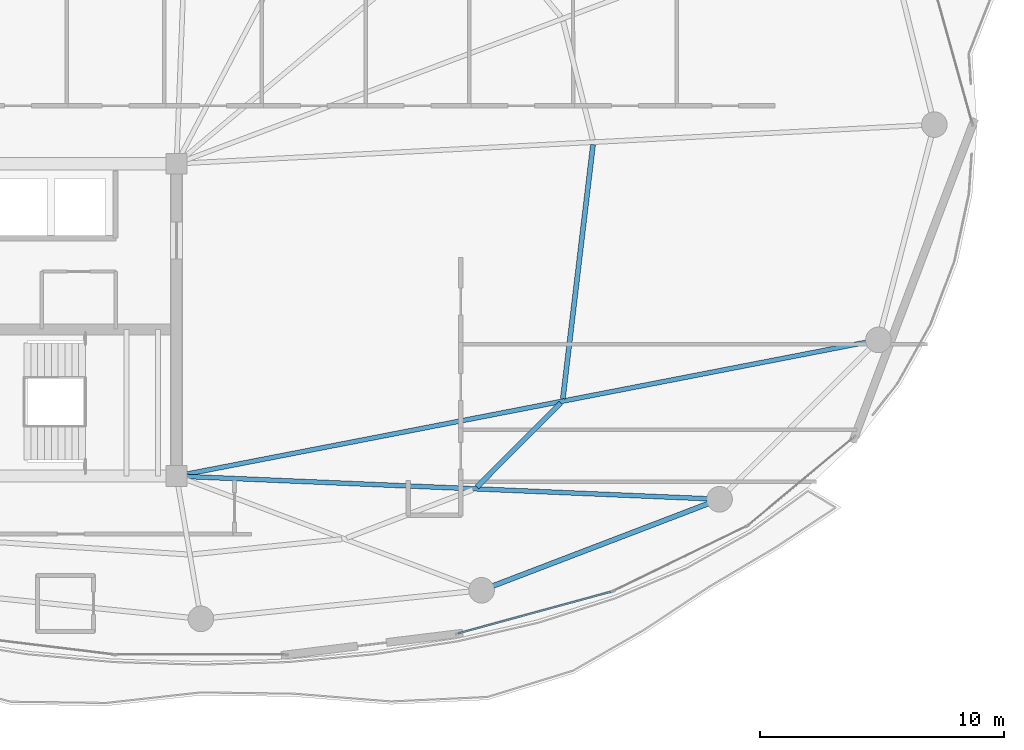
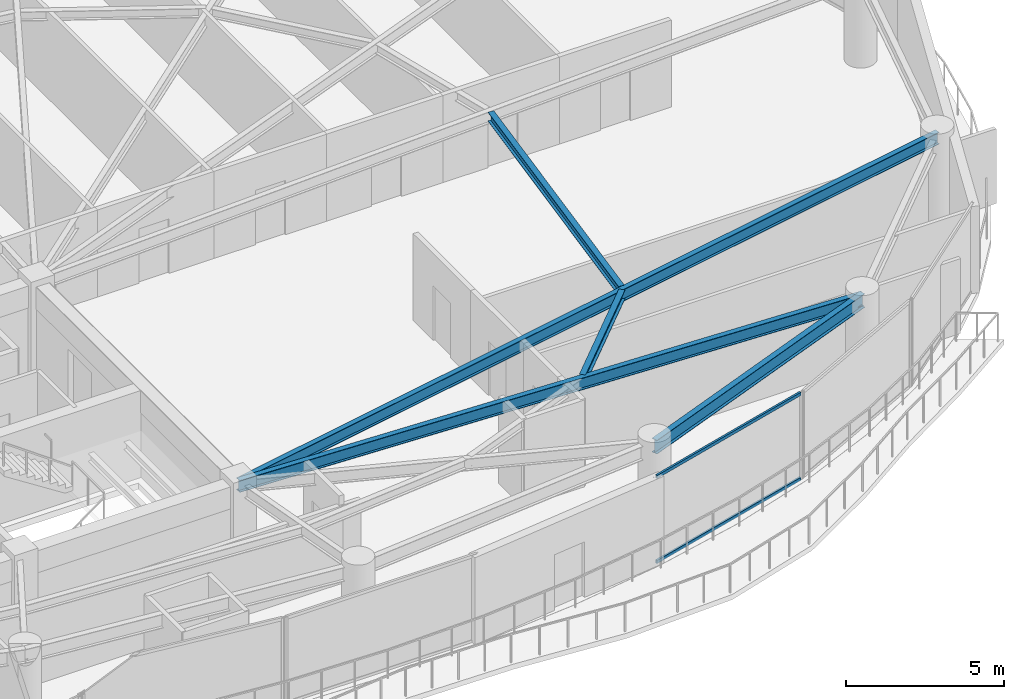
# One storey, part 11 of 29: 5 beams, 2 members, 1 element without a shape of its own.
"""IFC4 building model written with IfcOpenShell, lengths in metres."""

from ifc_helpers import new_model, si_unit, direction, frame, origin, origin_2d, place, context, subcontext, project, spatial, hollow_rectangle, i_section, extrude, material, layer, layer_set, material_profile, profile_set, type_object, element, aggregate, save


model = new_model("IFC4")

# Units and contexts
model_context = context("Model", 3, precision=1e-05, world=origin(), true_north=direction((0.0, 1.0)))
body_context = subcontext(model_context, "Body", "Model", "MODEL_VIEW")
ifc_project = project(units=[si_unit("LENGTHUNIT", "METRE"), si_unit("AREAUNIT", "SQUARE_METRE"), si_unit("VOLUMEUNIT", "CUBIC_METRE"), si_unit("PLANEANGLEUNIT", "RADIAN"), si_unit("MASSUNIT", "GRAM", prefix="KILO")], contexts=[model_context])

# Site, building, storey
site_placement = place(None, origin())
site = spatial("IfcSite", under=ifc_project, at=site_placement, CompositionType="ELEMENT")
building_placement = place(site_placement, origin())
building = spatial("IfcBuilding", under=site, at=building_placement, Name="Kazevale Care Tower and Concert Hall", CompositionType="ELEMENT")
storey_placement = place(building_placement, frame((0.0, 0.0, 195.60009765625)))
storey = spatial("IfcBuildingStorey", under=building, at=storey_placement, Name="L51", CompositionType="ELEMENT", Elevation=195.60009765625)

# Curtain wall, members
ifc_material_1 = material(Name="Aluminium 6063-T6 and Low-E Glass", Category="aluminium")
ifc_layer = layer(ifc_material_1, 0.179931640625)
ifc_layer_set = layer_set([ifc_layer], Name="Aluminium 6063-T6 and Low-E Glass")
curtain_wall_type = type_object("IfcCurtainWallType", Name="Sheltered Concave Balcony Curtain Wall CW-5", PredefinedType="NOTDEFINED", material=ifc_layer_set)
curtain_wall_placement = place(storey_placement, origin())
curtain_wall = element("IfcCurtainWall", 1, at=curtain_wall_placement, inside=storey, type_object=curtain_wall_type, Name="cw:L51:f04", PredefinedType="NOTDEFINED")
ifc_material_2 = material(Name="Aluminium 6063-T6", Category="aluminium")
ifc_material_profile_1 = material_profile(ifc_material_2, hollow_rectangle(XDim=0.074951171875, YDim=0.1201171875, WallThickness=0.00390625, at=origin_2d()), Name="ALU75x120x4")
ifc_profile_set_1 = profile_set([ifc_material_profile_1], Name="Aluminium 6063-T6")
member_type = type_object("IfcMemberType", Name="CW-5 Transom ALU75x120x4", PredefinedType="USERDEFINED", material=ifc_profile_set_1)
member_1_placement = place(storey_placement, frame((61.78369140625, 18.853271484375, 0.037353515625), z_axis=(-0.964843890632, -0.262823641842, 0.0), x_axis=(0.262823641842, -0.964843890632, 0.0)))
member_1 = element("IfcMember", 2, at=member_1_placement, type_object=member_type, Name="CW-5 transom 1.1", ObjectType="TRANSOM", PredefinedType="USERDEFINED", context=body_context, shape_type="SweptSolid", body=[
    extrude(hollow_rectangle(XDim=0.074951171875, YDim=0.1201171875, WallThickness=0.00390625, at=origin_2d()), origin(), (0.0, 0.0, 1.0), 6.469970703125),
])
member_2_placement = place(storey_placement, frame((61.78369140625, 18.853271484375, 3.322509765625), z_axis=(-0.964843890632, -0.262823641842, 0.0), x_axis=(0.262823641842, -0.964843890632, 0.0)))
member_2 = element("IfcMember", 3, at=member_2_placement, type_object=member_type, Name="CW-5 transom 1.2", ObjectType="TRANSOM", PredefinedType="USERDEFINED", context=body_context, shape_type="SweptSolid", body=[
    extrude(hollow_rectangle(XDim=0.074951171875, YDim=0.1201171875, WallThickness=0.00390625, at=origin_2d()), origin(), (0.0, 0.0, 1.0), 6.469970703125),
])
aggregate(curtain_wall, [member_1, member_2])

# Beams
ifc_material_3 = material(Name="Steel ASTM A572 Gr 50", Category="steel")
ifc_material_profile_2 = material_profile(ifc_material_3, i_section(OverallWidth=0.19091796875, OverallDepth=0.4599609375, WebThickness=0.010009765625, FlangeThickness=0.01611328125, at=origin_2d()), Name="W460x82")
ifc_profile_set_2 = profile_set([ifc_material_profile_2], Name="Steel ASTM A572 Gr 50")
beam_type_1 = type_object("IfcBeamType", Name="Radial Floor Beam W460x82", PredefinedType="BEAM", material=ifc_profile_set_2)
beam_1_placement = place(storey_placement, frame((44.0, 23.60009765625, 3.1298828125), z_axis=(0.999089369477, -0.042666518456, 0.0), x_axis=(0.042666518456, 0.999089369477, 0.0)))
element("IfcBeam", 4, at=beam_1_placement, inside=storey, type_object=beam_type_1, Name="beam:L51:rad:15", PredefinedType="BEAM", context=body_context, shape_type="SweptSolid", body=[
    extrude(i_section(OverallWidth=0.19091796875, OverallDepth=0.4599609375, WebThickness=0.010009765625, FlangeThickness=0.01611328125, at=origin_2d()), origin(), (0.0, 0.0, 1.0), 22.270263671875),
])
beam_2_placement = place(storey_placement, frame((44.0, 23.60009765625, 3.1298828125), z_axis=(0.981694544574, 0.190462125247, 0.0), x_axis=(-0.190462125247, 0.981694544574, 0.0)))
element("IfcBeam", 5, at=beam_2_placement, inside=storey, type_object=beam_type_1, Name="beam:L51:rad:16", PredefinedType="BEAM", context=body_context, shape_type="SweptSolid", body=[
    extrude(i_section(OverallWidth=0.19091796875, OverallDepth=0.4599609375, WebThickness=0.010009765625, FlangeThickness=0.01611328125, at=origin_2d()), origin(), (0.0, 0.0, 1.0), 29.29638671875),
])
ifc_material_profile_3 = material_profile(ifc_material_3, i_section(OverallWidth=0.205078125, OverallDepth=0.35400390625, WebThickness=0.009521484375, FlangeThickness=0.016845703125, at=origin_2d()), Name="W360x79")
ifc_profile_set_3 = profile_set([ifc_material_profile_3], Name="Steel ASTM A572 Gr 50")
beam_type_2 = type_object("IfcBeamType", Name="Secondary Floor Joist W360x79", PredefinedType="JOIST", material=ifc_profile_set_3)
beam_3_placement = place(storey_placement, frame((56.31201171875, 23.152099609375, 3.182861328125), z_axis=(0.705975874919, 0.708235881633, 0.0), x_axis=(-0.708235881633, 0.705975874919, 0.0)))
element("IfcBeam", 6, at=beam_3_placement, inside=storey, type_object=beam_type_2, Name="beam:L51:joist:15", PredefinedType="JOIST", context=body_context, shape_type="SweptSolid", body=[
    extrude(i_section(OverallWidth=0.205078125, OverallDepth=0.35400390625, WebThickness=0.009521484375, FlangeThickness=0.016845703125, at=origin_2d()), origin(), (0.0, 0.0, 1.0), 4.861083984375),
])
beam_4_placement = place(storey_placement, frame((59.830078125, 26.77294921875, 3.182861328125), z_axis=(0.117874218468, 0.993028533639, 0.0), x_axis=(-0.993028533639, 0.117874218468, 0.0)))
element("IfcBeam", 7, at=beam_4_placement, inside=storey, type_object=beam_type_2, Name="beam:L51:joist:16", PredefinedType="JOIST", context=body_context, shape_type="SweptSolid", body=[
    extrude(i_section(OverallWidth=0.205078125, OverallDepth=0.35400390625, WebThickness=0.009521484375, FlangeThickness=0.016845703125, at=origin_2d()), origin(), (0.0, 0.0, 1.0), 10.47607421875),
])
ifc_material_profile_4 = material_profile(ifc_material_3, i_section(OverallWidth=0.208984375, OverallDepth=0.532958984375, WebThickness=0.01025390625, FlangeThickness=0.015625, at=origin_2d()), Name="W530x92")
ifc_profile_set_4 = profile_set([ifc_material_profile_4], Name="Steel ASTM A572 Gr 50")
beam_type_3 = type_object("IfcBeamType", Name="Upper Ring Beam W530x92", PredefinedType="BEAM", material=ifc_profile_set_4)
beam_5_placement = place(storey_placement, frame((56.5, 18.919921875, 3.093505859375), z_axis=(0.933986653173, 0.357307894811, 0.0), x_axis=(-0.357307894811, 0.933986653173, 0.0)))
element("IfcBeam", 8, at=beam_5_placement, inside=storey, type_object=beam_type_3, Name="beam:L51:ring:14", PredefinedType="BEAM", context=body_context, shape_type="SweptSolid", body=[
    extrude(i_section(OverallWidth=0.208984375, OverallDepth=0.532958984375, WebThickness=0.01025390625, FlangeThickness=0.015625, at=origin_2d()), origin(), (0.0, 0.0, 1.0), 10.439208984375),
])

save(model, "model.ifc")
